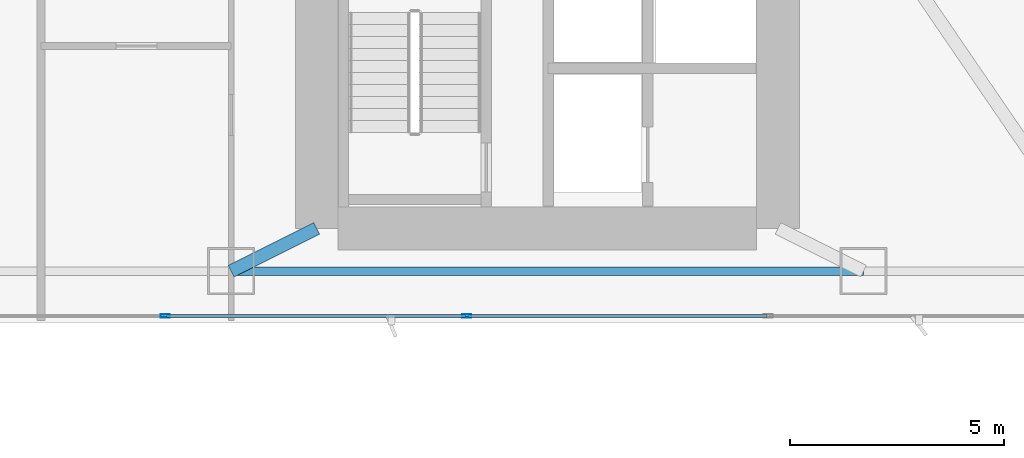
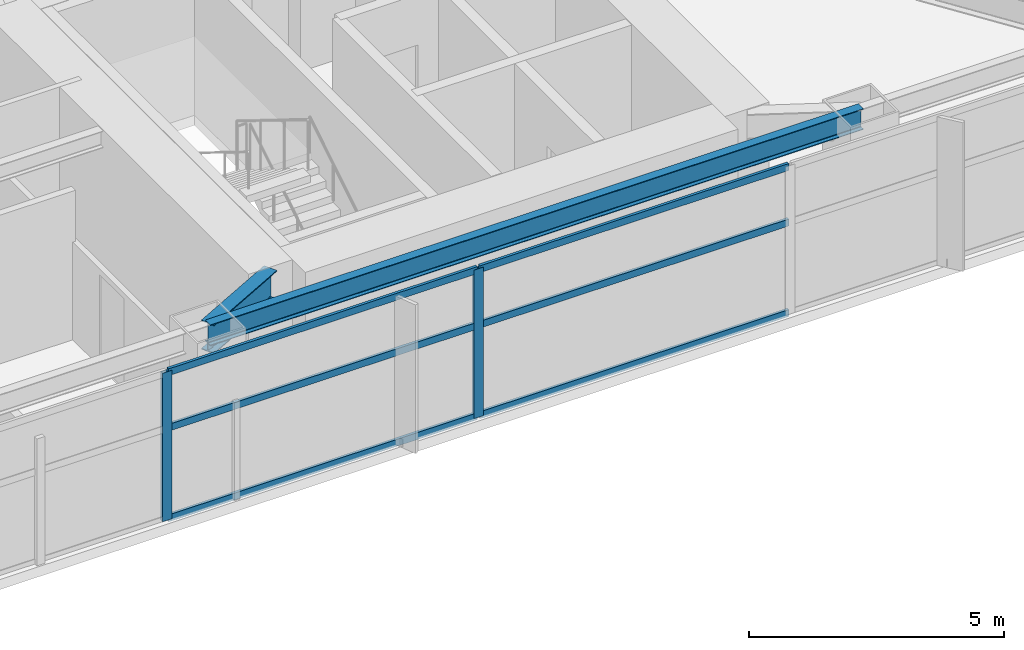
# One storey, part 6 of 29: 8 members, 2 beams, 1 element without a shape of its own.
"""IFC4 building model written with IfcOpenShell, lengths in metres."""

from ifc_helpers import new_model, si_unit, direction, frame, origin, origin_2d, place, context, subcontext, project, spatial, hollow_rectangle, i_section, extrude, material, layer, layer_set, material_profile, profile_set, type_object, element, aggregate, save


model = new_model("IFC4")

# Units and contexts
model_context = context("Model", 3, precision=1e-05, world=origin(), true_north=direction((0.0, 1.0)))
body_context = subcontext(model_context, "Body", "Model", "MODEL_VIEW")
ifc_project = project(units=[si_unit("LENGTHUNIT", "METRE"), si_unit("AREAUNIT", "SQUARE_METRE"), si_unit("VOLUMEUNIT", "CUBIC_METRE"), si_unit("PLANEANGLEUNIT", "RADIAN"), si_unit("MASSUNIT", "GRAM", prefix="KILO")], contexts=[model_context])

# Site, building, storey
site_placement = place(None, origin())
site = spatial("IfcSite", under=ifc_project, at=site_placement, CompositionType="ELEMENT")
building_placement = place(site_placement, origin())
building = spatial("IfcBuilding", under=site, at=building_placement, Name="Calvorn Quay Hotel", CompositionType="ELEMENT")
storey_placement = place(building_placement, frame((0.0, 0.0, 85.0)))
storey = spatial("IfcBuildingStorey", under=building, at=storey_placement, Name="L20", CompositionType="ELEMENT", Elevation=85.0)

# Beams
ifc_material_1 = material(Name="Steel Q390GJC", Category="steel")
ifc_material_profile_1 = material_profile(ifc_material_1, i_section(OverallWidth=0.300048828125, OverallDepth=0.699951171875, WebThickness=0.012939453125, FlangeThickness=0.02392578125, FilletRadius=0.02392578125, at=origin_2d()), Name="HN700x300x13x24")
ifc_profile_set_1 = profile_set([ifc_material_profile_1], Name="Steel Q390GJC")
beam_type_1 = type_object("IfcBeamType", Name="BM-GIRD-MAIN", PredefinedType="BEAM", material=ifc_profile_set_1)
beam_1_placement = place(storey_placement, frame((19.60009765625, 3.60009765625, 3.18994140625), z_axis=(0.894427191, 0.4472135955, 0.0), x_axis=(-0.4472135955, 0.894427191, 0.0)))
element("IfcBeam", 1, at=beam_1_placement, inside=storey, type_object=beam_type_1, Name="Beam BG-L20-S2", PredefinedType="BEAM", context=body_context, shape_type="SweptSolid", body=[
    extrude(i_section(OverallWidth=0.300048828125, OverallDepth=0.699951171875, WebThickness=0.012939453125, FlangeThickness=0.02392578125, FilletRadius=0.02392578125, at=origin_2d()), origin(), (0.0, 0.0, 1.0), 2.236083984375),
])
ifc_material_2 = material(Name="Steel Q355B", Category="steel")
ifc_material_profile_2 = material_profile(ifc_material_2, i_section(OverallWidth=0.199951171875, OverallDepth=0.5, WebThickness=0.010009765625, FlangeThickness=0.01611328125, FilletRadius=0.01611328125, at=origin_2d()), Name="HN500x200x10x16")
ifc_profile_set_2 = profile_set([ifc_material_profile_2], Name="Steel Q355B")
beam_type_2 = type_object("IfcBeamType", Name="BM-SPANDREL-Z1", PredefinedType="SPANDREL", material=ifc_profile_set_2)
beam_2_placement = place(storey_placement, frame((19.60009765625, 3.60009765625, 3.2900390625), z_axis=(1.0, 0.0, 0.0), x_axis=(0.0, 1.0, 0.0)))
element("IfcBeam", 2, at=beam_2_placement, inside=storey, type_object=beam_type_2, Name="Beam BSP-L20-S3", PredefinedType="SPANDREL", context=body_context, shape_type="SweptSolid", body=[
    extrude(i_section(OverallWidth=0.199951171875, OverallDepth=0.5, WebThickness=0.010009765625, FlangeThickness=0.01611328125, FilletRadius=0.01611328125, at=origin_2d()), origin(), (0.0, 0.0, 1.0), 14.7998046875),
])

# Curtain wall, members
ifc_material_3 = material(Name="Pale Anodised Aluminium and Low-E Glass", Category="aluminium")
ifc_layer = layer(ifc_material_3, 0.219970703125)
ifc_layer_set = layer_set([ifc_layer], Name="CW-SYS-Z1")
curtain_wall_type = type_object("IfcCurtainWallType", Name="CW-SYS-Z1", PredefinedType="NOTDEFINED", material=ifc_layer_set)
curtain_wall_placement = place(storey_placement, origin())
curtain_wall = element("IfcCurtainWall", 3, at=curtain_wall_placement, inside=storey, type_object=curtain_wall_type, Name="Tower South Waterfront Curtain Wall (L20)", PredefinedType="NOTDEFINED")
ifc_material_4 = material(Name="Pale Anodised Aluminium 6063-T6", Category="aluminium")
ifc_material_profile_3 = material_profile(ifc_material_4, hollow_rectangle(XDim=0.074951171875, YDim=0.219970703125, WallThickness=0.00439453125, at=origin_2d()), Name="ALU-M220x75x4.5")
ifc_profile_set_3 = profile_set([ifc_material_profile_3], Name="Pale Anodised Aluminium 6063-T6")
member_type_1 = type_object("IfcMemberType", Name="CW-SYS-Z1-MUL", PredefinedType="MULLION", material=ifc_profile_set_3)
member_1_placement = place(storey_placement, frame((18.05712890625, 2.550048828125, 0.0), z_axis=(0.0, 0.0, 1.0), x_axis=(0.0, 1.0, 0.0)))
member_1 = element("IfcMember", 4, at=member_1_placement, type_object=member_type_1, Name="CW-L20-S mullion 2", PredefinedType="MULLION", context=body_context, shape_type="SweptSolid", body=[
    extrude(hollow_rectangle(XDim=0.074951171875, YDim=0.219970703125, WallThickness=0.00439453125, at=origin_2d()), origin(), (0.0, 0.0, 1.0), 3.56005859375),
])
member_2_placement = place(storey_placement, frame((25.1142578125, 2.550048828125, 0.0), z_axis=(0.0, 0.0, 1.0), x_axis=(0.0, 1.0, 0.0)))
member_2 = element("IfcMember", 5, at=member_2_placement, type_object=member_type_1, Name="CW-L20-S mullion 3", PredefinedType="MULLION", context=body_context, shape_type="SweptSolid", body=[
    extrude(hollow_rectangle(XDim=0.074951171875, YDim=0.219970703125, WallThickness=0.00439453125, at=origin_2d()), origin(), (0.0, 0.0, 1.0), 3.56005859375),
])
ifc_material_5 = material(Name="Pale Anodised Aluminium 6063-T6", Category="aluminium")
ifc_material_profile_4 = material_profile(ifc_material_5, hollow_rectangle(XDim=0.06494140625, YDim=0.1650390625, WallThickness=0.00341796875, at=origin_2d()), Name="ALU-T165x65x3.5")
ifc_profile_set_4 = profile_set([ifc_material_profile_4], Name="Pale Anodised Aluminium 6063-T6")
member_type_2 = type_object("IfcMemberType", Name="CW-SYS-Z1-TRN", PredefinedType="USERDEFINED", material=ifc_profile_set_4)
member_3_placement = place(storey_placement, frame((18.087158203125, 2.550048828125, 0.030029296875), z_axis=(1.0, 0.0, 0.0), x_axis=(0.0, 1.0, 0.0)))
member_3 = element("IfcMember", 6, at=member_3_placement, type_object=member_type_2, Name="CW-L20-S transom 2.1", ObjectType="TRANSOM", PredefinedType="USERDEFINED", context=body_context, shape_type="SweptSolid", body=[
    extrude(hollow_rectangle(XDim=0.06494140625, YDim=0.1650390625, WallThickness=0.00341796875, at=origin_2d()), origin(), (0.0, 0.0, 1.0), 6.9970703125),
])
member_4_placement = place(storey_placement, frame((18.087158203125, 2.550048828125, 2.199951171875), z_axis=(1.0, 0.0, 0.0), x_axis=(0.0, 1.0, 0.0)))
member_4 = element("IfcMember", 7, at=member_4_placement, type_object=member_type_2, Name="CW-L20-S transom 2.2", ObjectType="TRANSOM", PredefinedType="USERDEFINED", context=body_context, shape_type="SweptSolid", body=[
    extrude(hollow_rectangle(XDim=0.06494140625, YDim=0.1650390625, WallThickness=0.00341796875, at=origin_2d()), origin(), (0.0, 0.0, 1.0), 6.9970703125),
])
member_5_placement = place(storey_placement, frame((18.087158203125, 2.550048828125, 3.530029296875), z_axis=(1.0, 0.0, 0.0), x_axis=(0.0, 1.0, 0.0)))
member_5 = element("IfcMember", 8, at=member_5_placement, type_object=member_type_2, Name="CW-L20-S transom 2.3", ObjectType="TRANSOM", PredefinedType="USERDEFINED", context=body_context, shape_type="SweptSolid", body=[
    extrude(hollow_rectangle(XDim=0.06494140625, YDim=0.1650390625, WallThickness=0.00341796875, at=origin_2d()), origin(), (0.0, 0.0, 1.0), 6.9970703125),
])
member_6_placement = place(storey_placement, frame((25.144287109375, 2.550048828125, 0.030029296875), z_axis=(1.0, 0.0, 0.0), x_axis=(0.0, 1.0, 0.0)))
member_6 = element("IfcMember", 9, at=member_6_placement, type_object=member_type_2, Name="CW-L20-S transom 3.1", ObjectType="TRANSOM", PredefinedType="USERDEFINED", context=body_context, shape_type="SweptSolid", body=[
    extrude(hollow_rectangle(XDim=0.06494140625, YDim=0.1650390625, WallThickness=0.00341796875, at=origin_2d()), origin(), (0.0, 0.0, 1.0), 6.9970703125),
])
member_7_placement = place(storey_placement, frame((25.144287109375, 2.550048828125, 2.199951171875), z_axis=(1.0, 0.0, 0.0), x_axis=(0.0, 1.0, 0.0)))
member_7 = element("IfcMember", 10, at=member_7_placement, type_object=member_type_2, Name="CW-L20-S transom 3.2", ObjectType="TRANSOM", PredefinedType="USERDEFINED", context=body_context, shape_type="SweptSolid", body=[
    extrude(hollow_rectangle(XDim=0.06494140625, YDim=0.1650390625, WallThickness=0.00341796875, at=origin_2d()), origin(), (0.0, 0.0, 1.0), 6.9970703125),
])
member_8_placement = place(storey_placement, frame((25.144287109375, 2.550048828125, 3.530029296875), z_axis=(1.0, 0.0, 0.0), x_axis=(0.0, 1.0, 0.0)))
member_8 = element("IfcMember", 11, at=member_8_placement, type_object=member_type_2, Name="CW-L20-S transom 3.3", ObjectType="TRANSOM", PredefinedType="USERDEFINED", context=body_context, shape_type="SweptSolid", body=[
    extrude(hollow_rectangle(XDim=0.06494140625, YDim=0.1650390625, WallThickness=0.00341796875, at=origin_2d()), origin(), (0.0, 0.0, 1.0), 6.9970703125),
])
aggregate(curtain_wall, [member_1, member_2, member_3, member_4, member_5, member_6, member_7, member_8])

save(model, "model.ifc")
